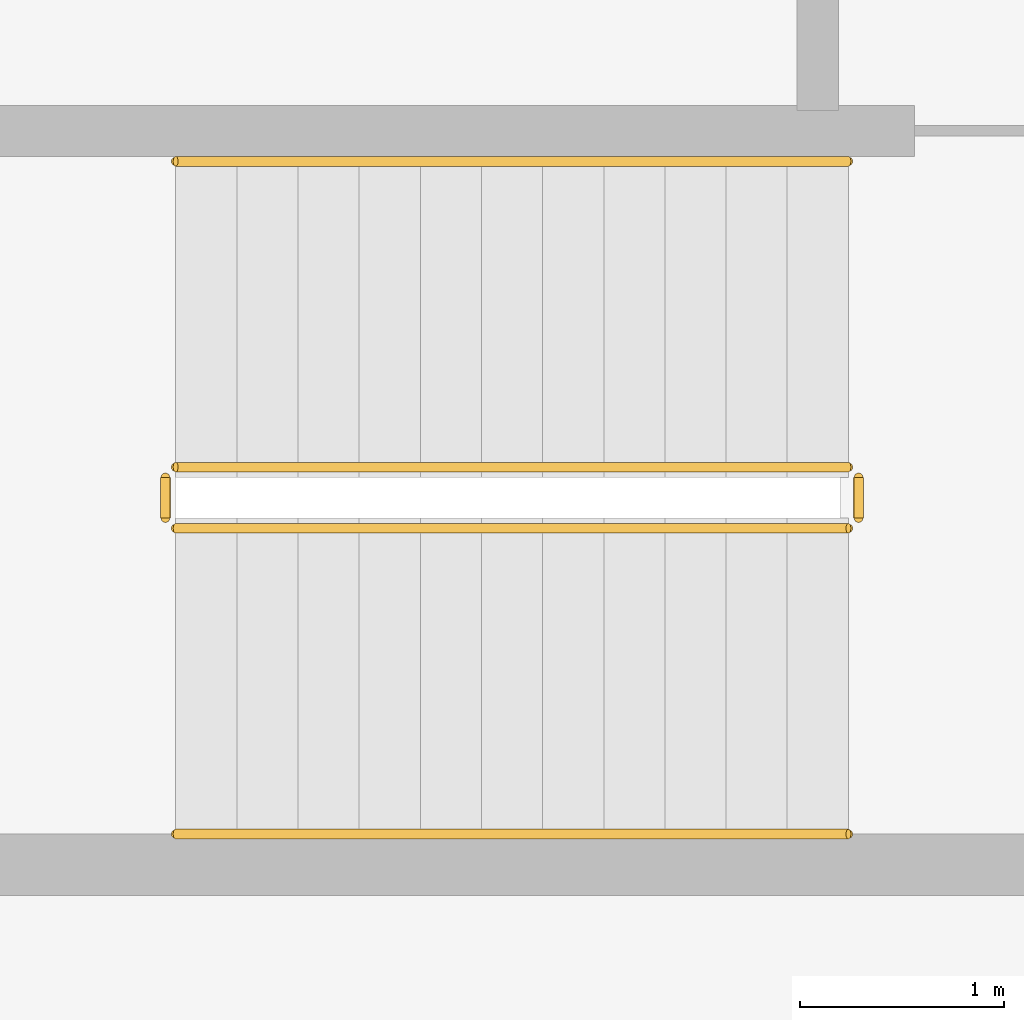
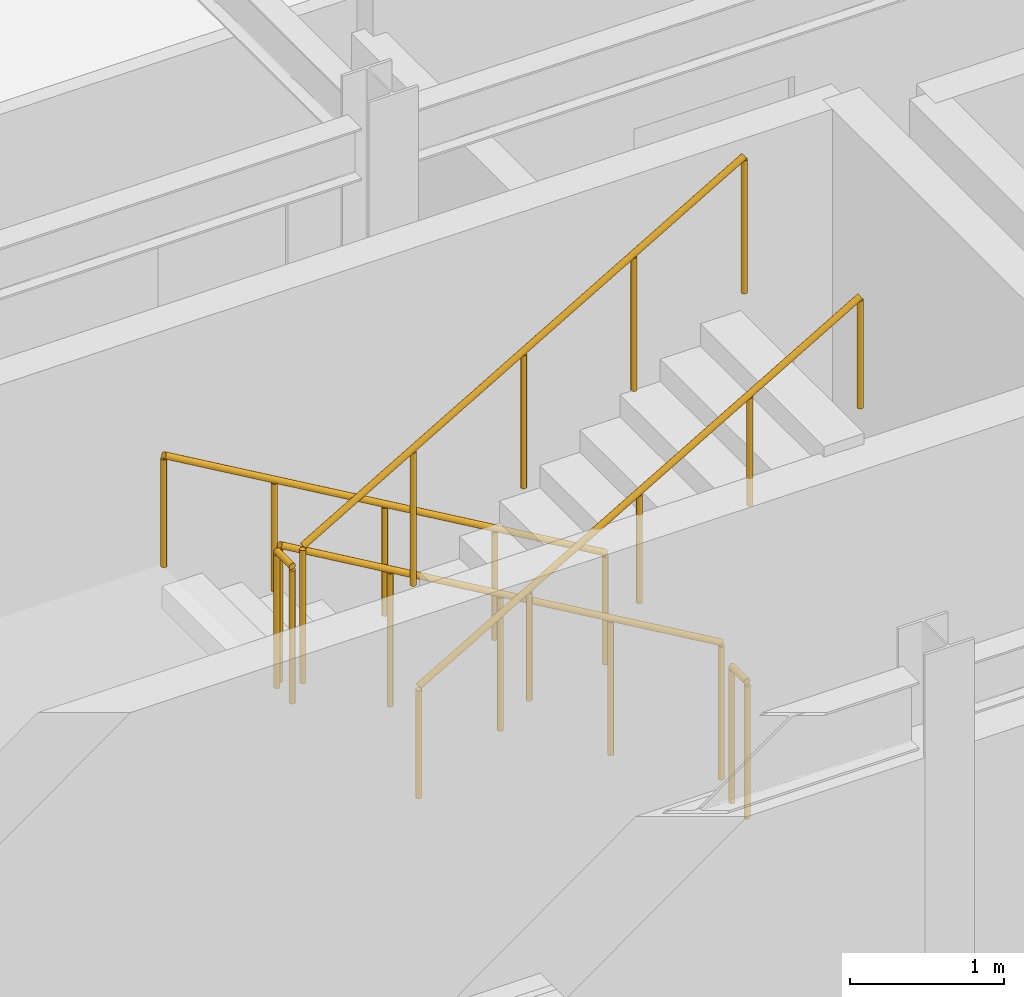
# One storey, part 111 of 113: 6 railings.
"""IFC4 building model written with IfcOpenShell, lengths in metres."""

from ifc_helpers import new_model, si_unit, direction, frame, origin, origin_2d, place, context, subcontext, project, spatial, circle, extrude, material, layer, layer_set, type_object, element, save


model = new_model("IFC4")

# Units and contexts
model_context = context("Model", 3, precision=1e-05, world=origin(), true_north=direction((0.0, 1.0)))
body_context = subcontext(model_context, "Body", "Model", "MODEL_VIEW")
ifc_project = project(units=[si_unit("LENGTHUNIT", "METRE"), si_unit("AREAUNIT", "SQUARE_METRE"), si_unit("VOLUMEUNIT", "CUBIC_METRE"), si_unit("PLANEANGLEUNIT", "RADIAN"), si_unit("MASSUNIT", "GRAM", prefix="KILO")], contexts=[model_context])

# Site, building, storey
site_placement = place(None, origin())
site = spatial("IfcSite", under=ifc_project, at=site_placement, CompositionType="ELEMENT")
building_placement = place(site_placement, origin())
building = spatial("IfcBuilding", under=site, at=building_placement, Name="Carrowvane Square Congress Hotel", CompositionType="ELEMENT")
storey_placement = place(building_placement, frame((0.0, 0.0, 15.0)))
storey = spatial("IfcBuildingStorey", under=building, at=storey_placement, Name="L03", CompositionType="ELEMENT", Elevation=15.0)

# Railings
ifc_material_1 = material(Name="Stainless steel 316", Category="steel")
ifc_layer_1 = layer(ifc_material_1, 0.048095703125)
ifc_layer_set_1 = layer_set([ifc_layer_1], Name="Stainless steel 316")
railing_type_1 = type_object("IfcRailingType", Name="RLG-HR-900", PredefinedType="HANDRAIL", material=ifc_layer_set_1)
railing_1_placement = place(storey_placement, frame((170.85009765625, 61.550048828125, 0.175048828125)))
element("IfcRailing", 1, at=railing_1_placement, inside=storey, type_object=railing_type_1, Name="L03 ST4 stair handrail 1", PredefinedType="HANDRAIL", context=body_context, shape_type="SweptSolid", body=[
    extrude(circle(Radius=0.02392578125, at=origin_2d()), frame((0.0, 0.0, 0.8759765625), z_axis=(-0.863776583165, 0.0, 0.503874998761), x_axis=(0.0, -1.0, 0.0)), (0.0, 0.0, 1.0), 3.820556640625),
    extrude(circle(Radius=0.02099609375, at=origin_2d()), origin(), (0.0, 0.0, 1.0), 0.851806640625),
    extrude(circle(Radius=0.02099609375, at=origin_2d()), frame((-0.824951171875, 0.0, 0.481201171875)), (0.0, 0.0, 1.0), 0.851806640625),
    extrude(circle(Radius=0.02099609375, at=origin_2d()), frame((-1.64990234375, 0.0, 0.96240234375)), (0.0, 0.0, 1.0), 0.851806640625),
    extrude(circle(Radius=0.02099609375, at=origin_2d()), frame((-2.47509765625, 0.0, 1.44384765625)), (0.0, 0.0, 1.0), 0.851806640625),
    extrude(circle(Radius=0.02099609375, at=origin_2d()), frame((-3.300048828125, 0.0, 1.925048828125)), (0.0, 0.0, 1.0), 0.851806640625),
])
railing_2_placement = place(storey_placement, frame((167.550048828125, 58.25, 2.27490234375)))
element("IfcRailing", 2, at=railing_2_placement, inside=storey, type_object=railing_type_1, Name="L03 ST4 stair handrail 2", PredefinedType="HANDRAIL", context=body_context, shape_type="SweptSolid", body=[
    extrude(circle(Radius=0.02392578125, at=origin_2d()), frame((0.0, 0.0, 0.8759765625), z_axis=(0.863776583165, 0.0, 0.503874998761), x_axis=(0.0, 1.0, 0.0)), (0.0, 0.0, 1.0), 3.820556640625),
    extrude(circle(Radius=0.02099609375, at=origin_2d()), origin(), (0.0, 0.0, 1.0), 0.851806640625),
    extrude(circle(Radius=0.02099609375, at=origin_2d()), frame((0.824951171875, 0.0, 0.481201171875)), (0.0, 0.0, 1.0), 0.851806640625),
    extrude(circle(Radius=0.02099609375, at=origin_2d()), frame((1.64990234375, 0.0, 0.96240234375)), (0.0, 0.0, 1.0), 0.851806640625),
    extrude(circle(Radius=0.02099609375, at=origin_2d()), frame((2.47509765625, 0.0, 1.44384765625)), (0.0, 0.0, 1.0), 0.851806640625),
    extrude(circle(Radius=0.02099609375, at=origin_2d()), frame((3.300048828125, 0.0, 1.925048828125)), (0.0, 0.0, 1.0), 0.851806640625),
])
ifc_material_2 = material(Name="Galvanised steel", Category="steel")
ifc_layer_2 = layer(ifc_material_2, 0.048095703125)
ifc_layer_set_2 = layer_set([ifc_layer_2], Name="Galvanised steel")
railing_type_2 = type_object("IfcRailingType", Name="RLG-STG-1100", PredefinedType="GUARDRAIL", material=ifc_layer_set_2)
railing_3_placement = place(storey_placement, frame((170.85009765625, 60.050048828125, 0.175048828125)))
element("IfcRailing", 3, at=railing_3_placement, inside=storey, type_object=railing_type_2, Name="L03 ST4 stair guard 1", PredefinedType="GUARDRAIL", context=body_context, shape_type="SweptSolid", body=[
    extrude(circle(Radius=0.02392578125, at=origin_2d()), frame((0.0, 0.0, 1.076171875), z_axis=(-0.863776583165, 0.0, 0.503874998761), x_axis=(0.0, -1.0, 0.0)), (0.0, 0.0, 1.0), 3.820556640625),
    extrude(circle(Radius=0.02099609375, at=origin_2d()), origin(), (0.0, 0.0, 1.0), 1.052001953125),
    extrude(circle(Radius=0.02099609375, at=origin_2d()), frame((-0.824951171875, 0.0, 0.481201171875)), (0.0, 0.0, 1.0), 1.052001953125),
    extrude(circle(Radius=0.02099609375, at=origin_2d()), frame((-1.64990234375, 0.0, 0.96240234375)), (0.0, 0.0, 1.0), 1.052001953125),
    extrude(circle(Radius=0.02099609375, at=origin_2d()), frame((-2.47509765625, 0.0, 1.44384765625)), (0.0, 0.0, 1.0), 1.052001953125),
    extrude(circle(Radius=0.02099609375, at=origin_2d()), frame((-3.300048828125, 0.0, 1.925048828125)), (0.0, 0.0, 1.0), 1.052001953125),
])
railing_4_placement = place(storey_placement, frame((167.5, 60.0, 2.10009765625)))
element("IfcRailing", 4, at=railing_4_placement, inside=storey, type_object=railing_type_2, Name="L03 ST4 stair guard 2", PredefinedType="GUARDRAIL", context=body_context, shape_type="SweptSolid", body=[
    extrude(circle(Radius=0.02392578125, at=origin_2d()), frame((0.0, 0.0, 1.076171875), z_axis=(0.0, -1.0, 0.0), x_axis=(1.0, 0.0, 0.0)), (0.0, 0.0, 1.0), 0.199951171875),
    extrude(circle(Radius=0.02099609375, at=origin_2d()), origin(), (0.0, 0.0, 1.0), 1.052001953125),
    extrude(circle(Radius=0.02099609375, at=origin_2d()), frame((0.0, -0.199951171875, 0.0)), (0.0, 0.0, 1.0), 1.052001953125),
])
railing_5_placement = place(storey_placement, frame((167.550048828125, 59.75, 2.27490234375)))
element("IfcRailing", 5, at=railing_5_placement, inside=storey, type_object=railing_type_2, Name="L03 ST4 stair guard 3", PredefinedType="GUARDRAIL", context=body_context, shape_type="SweptSolid", body=[
    extrude(circle(Radius=0.02392578125, at=origin_2d()), frame((0.0, 0.0, 1.076171875), z_axis=(0.863776583165, 0.0, 0.503874998761), x_axis=(0.0, 1.0, 0.0)), (0.0, 0.0, 1.0), 3.820556640625),
    extrude(circle(Radius=0.02099609375, at=origin_2d()), origin(), (0.0, 0.0, 1.0), 1.052001953125),
    extrude(circle(Radius=0.02099609375, at=origin_2d()), frame((0.824951171875, 0.0, 0.481201171875)), (0.0, 0.0, 1.0), 1.052001953125),
    extrude(circle(Radius=0.02099609375, at=origin_2d()), frame((1.64990234375, 0.0, 0.96240234375)), (0.0, 0.0, 1.0), 1.052001953125),
    extrude(circle(Radius=0.02099609375, at=origin_2d()), frame((2.47509765625, 0.0, 1.44384765625)), (0.0, 0.0, 1.0), 1.052001953125),
    extrude(circle(Radius=0.02099609375, at=origin_2d()), frame((3.300048828125, 0.0, 1.925048828125)), (0.0, 0.0, 1.0), 1.052001953125),
])
railing_6_placement = place(storey_placement, frame((170.89990234375, 60.0, 0.0)))
element("IfcRailing", 6, at=railing_6_placement, inside=storey, type_object=railing_type_2, Name="L03 ST4 stair guard 4", PredefinedType="GUARDRAIL", context=body_context, shape_type="SweptSolid", body=[
    extrude(circle(Radius=0.02392578125, at=origin_2d()), frame((0.0, 0.0, 1.076171875), z_axis=(0.0, -1.0, 0.0), x_axis=(1.0, 0.0, 0.0)), (0.0, 0.0, 1.0), 0.199951171875),
    extrude(circle(Radius=0.02099609375, at=origin_2d()), origin(), (0.0, 0.0, 1.0), 1.052001953125),
    extrude(circle(Radius=0.02099609375, at=origin_2d()), frame((0.0, -0.199951171875, 0.0)), (0.0, 0.0, 1.0), 1.052001953125),
])

save(model, "model.ifc")
